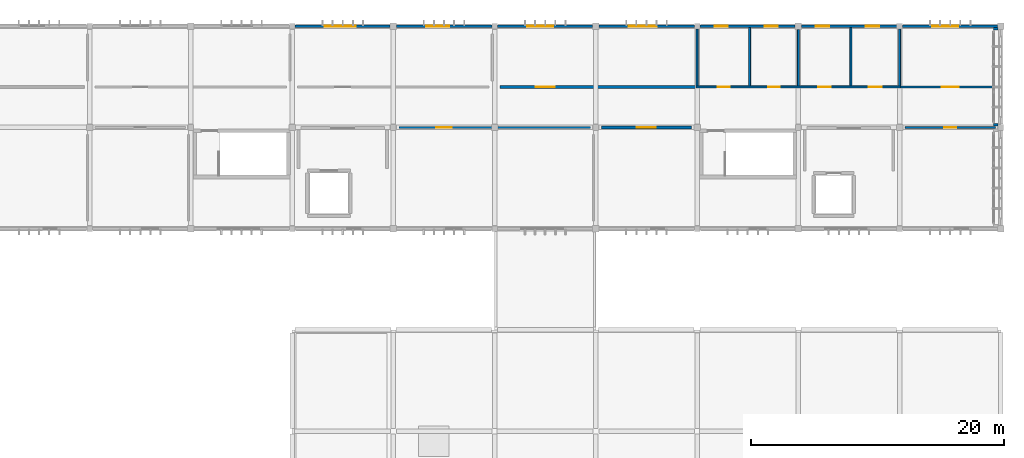
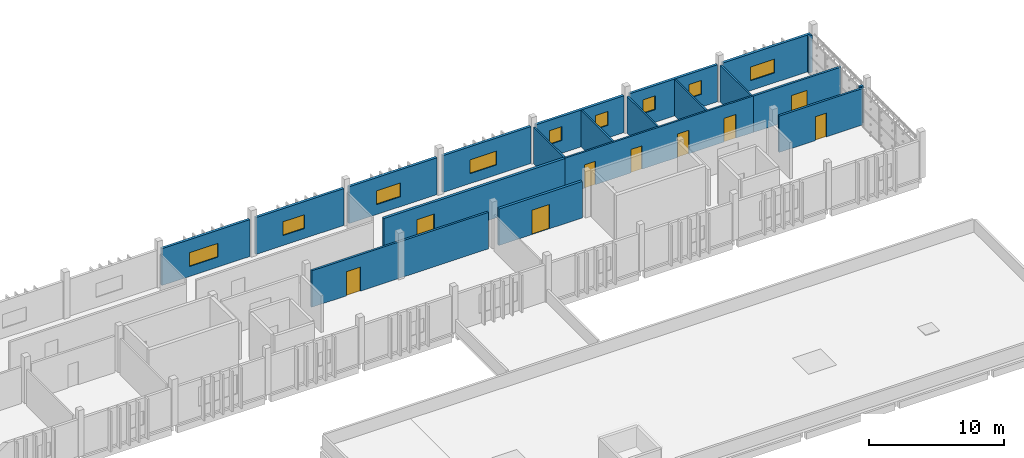
# One storey, part 13 of 16: 20 walls, 9 doors, 9 windows, 18 openings.
"""IFC4 building model written with IfcOpenShell, lengths in metres."""

from ifc_helpers import new_model, si_unit, direction, frame, frame_2d, origin, place, context, subcontext, project, spatial, rectangle, extrude, material, layer, layer_set, type_object, element, fill, save


model = new_model("IFC4")

# Units and contexts
model_context = context("Model", 3, precision=1e-05, world=origin(), true_north=direction((0.0, 1.0)))
body_context = subcontext(model_context, "Body", "Model", "MODEL_VIEW")
ifc_project = project(units=[si_unit("LENGTHUNIT", "METRE"), si_unit("AREAUNIT", "SQUARE_METRE"), si_unit("VOLUMEUNIT", "CUBIC_METRE"), si_unit("PLANEANGLEUNIT", "RADIAN"), si_unit("MASSUNIT", "GRAM", prefix="KILO")], contexts=[model_context])

# Site, building, storey
site_placement = place(None, origin())
site = spatial("IfcSite", under=ifc_project, at=site_placement, CompositionType="ELEMENT")
building_placement = place(site_placement, origin())
building = spatial("IfcBuilding", under=site, at=building_placement, Name="Jelvoka-Kovrelna Polytechnic", CompositionType="ELEMENT")
storey_placement = place(building_placement, frame((0.0, 0.0, 30.60009765625)))
storey = spatial("IfcBuildingStorey", under=building, at=storey_placement, Name="L08", CompositionType="ELEMENT", Elevation=30.60009765625)

# Wall, opening, door
ifc_material_1 = material(Name="Concrete C35/45", Category="concrete")
ifc_layer_1 = layer(ifc_material_1, 0.219970703125)
ifc_layer_set_1 = layer_set([ifc_layer_1], Name="Concrete C35/45")
wall_type_1 = type_object("IfcWallType", Name="Wall_Compartment_220", PredefinedType="PARTITIONING", material=ifc_layer_set_1)
wall_1_placement = place(storey_placement, frame((152.429931640625, 64.0, 0.0), z_axis=(0.0, 0.0, 1.0), x_axis=(1.0, 0.0, 0.0)))
wall_1 = element("IfcWall", 1, at=wall_1_placement, inside=storey, type_object=wall_type_1, Name="L08 interior wall 1315", PredefinedType="PARTITIONING", context=body_context, shape_type="SweptSolid", body=[
    extrude(rectangle(XDim=7.14013671875, YDim=0.219970703125, at=frame_2d((3.570068359375, 0.0))), origin(), (0.0, 0.0, 1.0), 3.2998046875),
])
opening_1_placement = place(wall_1_placement, frame((2.820068359375, 0.0, 0.0)))
opening_1 = element("IfcOpeningElement", 2, at=opening_1_placement, cuts=wall_1, Name="Opening D-L08-470", PredefinedType="OPENING", context=body_context, shape_type="SweptSolid", body=[
    extrude(rectangle(XDim=1.5, YDim=2.199951171875, at=frame_2d((0.75, 1.10009765625))), frame((0.0, 0.119873046875, 0.0), z_axis=(0.0, -1.0, 0.0), x_axis=(1.0, 0.0, 0.0)), (0.0, 0.0, 1.0), 0.239990234375),
])
ifc_material_2 = material(Name="Paired steel stair lobby fire door", Category="steel")
door_type_1 = type_object("IfcDoorType", Name="Door_Fire_FD04", OperationType="NOTDEFINED", PredefinedType="DOOR", material=ifc_material_2)
door_1_placement = place(opening_1_placement, origin())
door_1 = element("IfcDoor", 3, at=door_1_placement, inside=storey, type_object=door_type_1, Name="L08 interior door D-L08-470", OperationType="DOUBLE_DOOR_SINGLE_SWING", OverallHeight=2.199951171875, OverallWidth=1.5, PredefinedType="DOOR", context=body_context, shape_type="SweptSolid", body=[
    extrude(rectangle(XDim=1.5, YDim=2.199951171875, at=frame_2d((0.75, 1.10009765625))), frame((0.0, 0.02490234375, 0.0), z_axis=(0.0, -1.0, 0.0), x_axis=(1.0, 0.0, 0.0)), (0.0, 0.0, 1.0), 0.050048828125),
])
fill(opening_1, door_1)

wall_2_placement = place(storey_placement, frame((144.429931640625, 67.199951171875, 0.0), z_axis=(0.0, 0.0, 1.0), x_axis=(1.0, 0.0, 0.0)))
wall_2 = element("IfcWall", 4, at=wall_2_placement, inside=storey, type_object=wall_type_1, Name="L08 interior wall 1324", PredefinedType="PARTITIONING", context=body_context, shape_type="SweptSolid", body=[
    extrude(rectangle(XDim=15.4951171875, YDim=0.219970703125, at=frame_2d((7.74755859375, 0.0))), origin(), (0.0, 0.0, 1.0), 3.2998046875),
])
opening_2_placement = place(wall_2_placement, frame((2.820068359375, 0.0, 0.0)))
opening_2 = element("IfcOpeningElement", 5, at=opening_2_placement, cuts=wall_2, Name="Opening D-L08-476", PredefinedType="OPENING", context=body_context, shape_type="SweptSolid", body=[
    extrude(rectangle(XDim=1.5, YDim=2.199951171875, at=frame_2d((0.75, 1.10009765625))), frame((0.0, 0.119873046875, 0.0), z_axis=(0.0, -1.0, 0.0), x_axis=(1.0, 0.0, 0.0)), (0.0, 0.0, 1.0), 0.239990234375),
])
door_2_placement = place(opening_2_placement, origin())
door_2 = element("IfcDoor", 6, at=door_2_placement, inside=storey, type_object=door_type_1, Name="L08 interior door D-L08-476", OperationType="DOUBLE_DOOR_SINGLE_SWING", OverallHeight=2.199951171875, OverallWidth=1.5, PredefinedType="DOOR", context=body_context, shape_type="SweptSolid", body=[
    extrude(rectangle(XDim=1.5, YDim=2.199951171875, at=frame_2d((0.75, 1.10009765625))), frame((0.0, 0.02490234375, 0.0), z_axis=(0.0, -1.0, 0.0), x_axis=(1.0, 0.0, 0.0)), (0.0, 0.0, 1.0), 0.050048828125),
])
fill(opening_2, door_2)

ifc_material_3 = material(Name="Autoclaved aerated concrete blockwork", Category="masonry")
ifc_layer_2 = layer(ifc_material_3, 0.179931640625)
ifc_layer_set_2 = layer_set([ifc_layer_2], Name="Autoclaved aerated concrete blockwork")
wall_type_2 = type_object("IfcWallType", Name="Wall_Corridor_180", PredefinedType="PARTITIONING", material=ifc_layer_set_2)
wall_3_placement = place(storey_placement, frame((136.429931640625, 64.0, 0.0), z_axis=(0.0, 0.0, 1.0), x_axis=(1.0, 0.0, 0.0)))
wall_3 = element("IfcWall", 7, at=wall_3_placement, inside=storey, type_object=wall_type_2, Name="L08 interior wall 1313", PredefinedType="PARTITIONING", context=body_context, shape_type="SweptSolid", body=[
    extrude(rectangle(XDim=15.14013671875, YDim=0.179931640625, at=frame_2d((7.570068359375, 0.0))), origin(), (0.0, 0.0, 1.0), 3.2998046875),
])
opening_3_placement = place(wall_3_placement, frame((2.9599609375, 0.0, 0.0)))
opening_3 = element("IfcOpeningElement", 8, at=opening_3_placement, cuts=wall_3, Name="Opening D-L08-469", PredefinedType="OPENING", context=body_context, shape_type="SweptSolid", body=[
    extrude(rectangle(XDim=1.219970703125, YDim=2.179931640625, at=frame_2d((0.60986328125, 1.08984375))), frame((0.0, 0.099853515625, 0.0), z_axis=(0.0, -1.0, 0.0), x_axis=(1.0, 0.0, 0.0)), (0.0, 0.0, 1.0), 0.199951171875),
])
ifc_material_4 = material(Name="Hardwood fire-resisting laboratory door", Category="wood")
door_type_2 = type_object("IfcDoorType", Name="Door_Fire_FD30_04", OperationType="NOTDEFINED", PredefinedType="DOOR", material=ifc_material_4)
door_3_placement = place(opening_3_placement, origin())
door_3 = element("IfcDoor", 9, at=door_3_placement, inside=storey, type_object=door_type_2, Name="L08 interior door D-L08-469", OperationType="SINGLE_SWING_RIGHT", OverallHeight=2.179931640625, OverallWidth=1.219970703125, PredefinedType="DOOR", context=body_context, shape_type="SweptSolid", body=[
    extrude(rectangle(XDim=1.219970703125, YDim=2.179931640625, at=frame_2d((0.60986328125, 1.08984375))), frame((0.0, 0.02490234375, 0.0), z_axis=(0.0, -1.0, 0.0), x_axis=(1.0, 0.0, 0.0)), (0.0, 0.0, 1.0), 0.050048828125),
])
fill(opening_3, door_3)

wall_4_placement = place(storey_placement, frame((176.429931640625, 64.0, 0.0), z_axis=(0.0, 0.0, 1.0), x_axis=(1.0, 0.0, 0.0)))
wall_4 = element("IfcWall", 10, at=wall_4_placement, inside=storey, type_object=wall_type_2, Name="L08 interior wall 1316", PredefinedType="PARTITIONING", context=body_context, shape_type="SweptSolid", body=[
    extrude(rectangle(XDim=7.14013671875, YDim=0.179931640625, at=frame_2d((3.570068359375, 0.0))), origin(), (0.0, 0.0, 1.0), 3.2998046875),
])
opening_4_placement = place(wall_4_placement, frame((3.110107421875, 0.0, 0.0)))
opening_4 = element("IfcOpeningElement", 11, at=opening_4_placement, cuts=wall_4, Name="Opening D-L08-471", PredefinedType="OPENING", context=body_context, shape_type="SweptSolid", body=[
    extrude(rectangle(XDim=0.919921875, YDim=2.14990234375, at=frame_2d((0.4599609375, 1.074951171875))), frame((0.0, 0.099853515625, 0.0), z_axis=(0.0, -1.0, 0.0), x_axis=(1.0, 0.0, 0.0)), (0.0, 0.0, 1.0), 0.199951171875),
])
ifc_material_5 = material(Name="Hardwood solid-core door", Category="wood")
door_type_3 = type_object("IfcDoorType", Name="Door_Int_D06", OperationType="NOTDEFINED", PredefinedType="DOOR", material=ifc_material_5)
door_4_placement = place(opening_4_placement, origin())
door_4 = element("IfcDoor", 12, at=door_4_placement, inside=storey, type_object=door_type_3, Name="L08 interior door D-L08-471", OperationType="SINGLE_SWING_LEFT", OverallHeight=2.14990234375, OverallWidth=0.919921875, PredefinedType="DOOR", context=body_context, shape_type="SweptSolid", body=[
    extrude(rectangle(XDim=0.919921875, YDim=2.14990234375, at=frame_2d((0.4599609375, 1.074951171875))), frame((0.0, 0.02490234375, 0.0), z_axis=(0.0, -1.0, 0.0), x_axis=(1.0, 0.0, 0.0)), (0.0, 0.0, 1.0), 0.050048828125),
])
fill(opening_4, door_4)

wall_5_placement = place(storey_placement, frame((176.074951171875, 67.199951171875, 0.0), z_axis=(0.0, 0.0, 1.0), x_axis=(1.0, 0.0, 0.0)))
wall_5 = element("IfcWall", 13, at=wall_5_placement, inside=storey, type_object=wall_type_2, Name="L08 interior wall 1325", PredefinedType="PARTITIONING", context=body_context, shape_type="SweptSolid", body=[
    extrude(rectangle(XDim=7.4951171875, YDim=0.179931640625, at=frame_2d((3.74755859375, 0.0))), origin(), (0.0, 0.0, 1.0), 3.2998046875),
])
opening_5_placement = place(wall_5_placement, frame((3.25, 0.0, 0.0)))
opening_5 = element("IfcOpeningElement", 14, at=opening_5_placement, cuts=wall_5, Name="Opening D-L08-477", PredefinedType="OPENING", context=body_context, shape_type="SweptSolid", body=[
    extrude(rectangle(XDim=1.35009765625, YDim=2.199951171875, at=frame_2d((0.675048828125, 1.10009765625))), frame((0.0, 0.099853515625, 0.0), z_axis=(0.0, -1.0, 0.0), x_axis=(1.0, 0.0, 0.0)), (0.0, 0.0, 1.0), 0.199951171875),
])
ifc_material_6 = material(Name="Studio wide leaf door", Category="wood")
door_type_4 = type_object("IfcDoorType", Name="Door_Int_D15", OperationType="NOTDEFINED", PredefinedType="DOOR", material=ifc_material_6)
door_5_placement = place(opening_5_placement, origin())
door_5 = element("IfcDoor", 15, at=door_5_placement, inside=storey, type_object=door_type_4, Name="L08 interior door D-L08-477", OperationType="SINGLE_SWING_LEFT", OverallHeight=2.199951171875, OverallWidth=1.35009765625, PredefinedType="DOOR", context=body_context, shape_type="SweptSolid", body=[
    extrude(rectangle(XDim=1.35009765625, YDim=2.199951171875, at=frame_2d((0.675048828125, 1.10009765625))), frame((0.0, 0.02490234375, 0.0), z_axis=(0.0, -1.0, 0.0), x_axis=(1.0, 0.0, 0.0)), (0.0, 0.0, 1.0), 0.050048828125),
])
fill(opening_5, door_5)

# Wall, opening, window
ifc_material_7 = material(Name="Precast concrete C40/50", Category="concrete")
ifc_layer_3 = layer(ifc_material_7, 0.219970703125)
ifc_layer_set_3 = layer_set([ifc_layer_3], Name="Precast concrete C40/50")
wall_type_3 = type_object("IfcWallType", Name="Wall_Ext_White_220", PredefinedType="STANDARD", material=ifc_layer_set_3)
wall_6_placement = place(storey_placement, frame((128.221923828125, 72.0, 0.0), z_axis=(0.0, 0.0, 1.0), x_axis=(1.0, 0.0, 0.0)))
wall_6 = element("IfcWall", 16, at=wall_6_placement, inside=storey, type_object=wall_type_3, Name="L08 exterior wall 0833", PredefinedType="STANDARD", context=body_context, shape_type="SweptSolid", body=[
    extrude(rectangle(XDim=7.531005859375, YDim=0.219970703125, at=frame_2d((3.765625, 0.0))), origin(), (0.0, 0.0, 1.0), 3.3349609375),
])
opening_6_placement = place(wall_6_placement, frame((2.35791015625, 0.0, 0.89990234375)))
opening_6 = element("IfcOpeningElement", 17, at=opening_6_placement, cuts=wall_6, Name="Opening W-L08-479", PredefinedType="OPENING", context=body_context, shape_type="SweptSolid", body=[
    extrude(rectangle(XDim=2.449951171875, YDim=1.25, at=frame_2d((1.22509765625, 0.625))), frame((0.0, 0.119873046875, 0.0), z_axis=(0.0, -1.0, 0.0), x_axis=(1.0, 0.0, 0.0)), (0.0, 0.0, 1.0), 0.239990234375),
])
ifc_material_8 = material(Name="Thermally broken anodised aluminium and low-e glazing", Category="aluminium")
window_type_1 = type_object("IfcWindowType", Name="Win_Casement_W08", PartitioningType="DOUBLE_PANEL_VERTICAL", PredefinedType="WINDOW", material=ifc_material_8)
window_1_placement = place(opening_6_placement, origin())
window_1 = element("IfcWindow", 18, at=window_1_placement, inside=storey, type_object=window_type_1, Name="L08 aluminium casement window W-L08-479", OverallHeight=1.25, OverallWidth=2.449951171875, PartitioningType="DOUBLE_PANEL_VERTICAL", PredefinedType="WINDOW", context=body_context, shape_type="SweptSolid", body=[
    extrude(rectangle(XDim=2.449951171875, YDim=1.25, at=frame_2d((1.22509765625, 0.625))), frame((0.0, 0.030029296875, 0.0), z_axis=(0.0, -1.0, 0.0), x_axis=(1.0, 0.0, 0.0)), (0.0, 0.0, 1.0), 0.06005859375),
])
fill(opening_6, window_1)

wall_7_placement = place(storey_placement, frame((136.2470703125, 72.0, 0.0), z_axis=(0.0, 0.0, 1.0), x_axis=(1.0, 0.0, 0.0)))
wall_7 = element("IfcWall", 19, at=wall_7_placement, inside=storey, type_object=wall_type_3, Name="L08 exterior wall 0835", PredefinedType="STANDARD", context=body_context, shape_type="SweptSolid", body=[
    extrude(rectangle(XDim=7.531005859375, YDim=0.219970703125, at=frame_2d((3.765625, 0.0))), origin(), (0.0, 0.0, 1.0), 3.3349609375),
])
opening_7_placement = place(wall_7_placement, frame((2.3330078125, 0.0, 0.89990234375)))
opening_7 = element("IfcOpeningElement", 20, at=opening_7_placement, cuts=wall_7, Name="Opening W-L08-481", PredefinedType="OPENING", context=body_context, shape_type="SweptSolid", body=[
    extrude(rectangle(XDim=1.85009765625, YDim=1.25, at=frame_2d((0.925048828125, 0.625))), frame((0.0, 0.119873046875, 0.0), z_axis=(0.0, -1.0, 0.0), x_axis=(1.0, 0.0, 0.0)), (0.0, 0.0, 1.0), 0.239990234375),
])
ifc_material_9 = material(Name="Thermally broken anodised aluminium and low-e glazing", Category="aluminium")
window_type_2 = type_object("IfcWindowType", Name="Win_Casement_W05", PartitioningType="DOUBLE_PANEL_VERTICAL", PredefinedType="WINDOW", material=ifc_material_9)
window_2_placement = place(opening_7_placement, origin())
window_2 = element("IfcWindow", 21, at=window_2_placement, inside=storey, type_object=window_type_2, Name="L08 aluminium casement window W-L08-481", OverallHeight=1.25, OverallWidth=1.85009765625, PartitioningType="DOUBLE_PANEL_VERTICAL", PredefinedType="WINDOW", context=body_context, shape_type="SweptSolid", body=[
    extrude(rectangle(XDim=1.85009765625, YDim=1.25, at=frame_2d((0.925048828125, 0.625))), frame((0.0, 0.030029296875, 0.0), z_axis=(0.0, -1.0, 0.0), x_axis=(1.0, 0.0, 0.0)), (0.0, 0.0, 1.0), 0.06005859375),
])
fill(opening_7, window_2)

wall_8_placement = place(storey_placement, frame((144.221923828125, 72.0, 0.0), z_axis=(0.0, 0.0, 1.0), x_axis=(1.0, 0.0, 0.0)))
wall_8 = element("IfcWall", 22, at=wall_8_placement, inside=storey, type_object=wall_type_3, Name="L08 exterior wall 0837", PredefinedType="STANDARD", context=body_context, shape_type="SweptSolid", body=[
    extrude(rectangle(XDim=7.531005859375, YDim=0.219970703125, at=frame_2d((3.765625, 0.0))), origin(), (0.0, 0.0, 1.0), 3.3349609375),
])
opening_8_placement = place(wall_8_placement, frame((2.35791015625, 0.0, 0.89990234375)))
opening_8 = element("IfcOpeningElement", 23, at=opening_8_placement, cuts=wall_8, Name="Opening W-L08-483", PredefinedType="OPENING", context=body_context, shape_type="SweptSolid", body=[
    extrude(rectangle(XDim=2.050048828125, YDim=1.25, at=frame_2d((1.02490234375, 0.625))), frame((0.0, 0.119873046875, 0.0), z_axis=(0.0, -1.0, 0.0), x_axis=(1.0, 0.0, 0.0)), (0.0, 0.0, 1.0), 0.239990234375),
])
ifc_material_10 = material(Name="Thermally broken anodised aluminium and low-e glazing", Category="aluminium")
window_type_3 = type_object("IfcWindowType", Name="Win_Casement_W06", PartitioningType="DOUBLE_PANEL_VERTICAL", PredefinedType="WINDOW", material=ifc_material_10)
window_3_placement = place(opening_8_placement, origin())
window_3 = element("IfcWindow", 24, at=window_3_placement, inside=storey, type_object=window_type_3, Name="L08 aluminium casement window W-L08-483", OverallHeight=1.25, OverallWidth=2.050048828125, PartitioningType="DOUBLE_PANEL_VERTICAL", PredefinedType="WINDOW", context=body_context, shape_type="SweptSolid", body=[
    extrude(rectangle(XDim=2.050048828125, YDim=1.25, at=frame_2d((1.02490234375, 0.625))), frame((0.0, 0.030029296875, 0.0), z_axis=(0.0, -1.0, 0.0), x_axis=(1.0, 0.0, 0.0)), (0.0, 0.0, 1.0), 0.06005859375),
])
fill(opening_8, window_3)

wall_9_placement = place(storey_placement, frame((152.2470703125, 72.0, 0.0), z_axis=(0.0, 0.0, 1.0), x_axis=(1.0, 0.0, 0.0)))
wall_9 = element("IfcWall", 25, at=wall_9_placement, inside=storey, type_object=wall_type_3, Name="L08 exterior wall 0839", PredefinedType="STANDARD", context=body_context, shape_type="SweptSolid", body=[
    extrude(rectangle(XDim=7.531005859375, YDim=0.219970703125, at=frame_2d((3.765625, 0.0))), origin(), (0.0, 0.0, 1.0), 3.3349609375),
])
opening_9_placement = place(wall_9_placement, frame((2.3330078125, 0.0, 0.89990234375)))
opening_9 = element("IfcOpeningElement", 26, at=opening_9_placement, cuts=wall_9, Name="Opening W-L08-485", PredefinedType="OPENING", context=body_context, shape_type="SweptSolid", body=[
    extrude(rectangle(XDim=2.25, YDim=1.25, at=frame_2d((1.125, 0.625))), frame((0.0, 0.119873046875, 0.0), z_axis=(0.0, -1.0, 0.0), x_axis=(1.0, 0.0, 0.0)), (0.0, 0.0, 1.0), 0.239990234375),
])
ifc_material_11 = material(Name="Thermally broken anodised aluminium and low-e glazing", Category="aluminium")
window_type_4 = type_object("IfcWindowType", Name="Win_Casement_W07", PartitioningType="DOUBLE_PANEL_VERTICAL", PredefinedType="WINDOW", material=ifc_material_11)
window_4_placement = place(opening_9_placement, origin())
window_4 = element("IfcWindow", 27, at=window_4_placement, inside=storey, type_object=window_type_4, Name="L08 aluminium casement window W-L08-485", OverallHeight=1.25, OverallWidth=2.25, PartitioningType="DOUBLE_PANEL_VERTICAL", PredefinedType="WINDOW", context=body_context, shape_type="SweptSolid", body=[
    extrude(rectangle(XDim=2.25, YDim=1.25, at=frame_2d((1.125, 0.625))), frame((0.0, 0.030029296875, 0.0), z_axis=(0.0, -1.0, 0.0), x_axis=(1.0, 0.0, 0.0)), (0.0, 0.0, 1.0), 0.06005859375),
])
fill(opening_9, window_4)

# Wall, openings, windows
wall_10_placement = place(storey_placement, frame((160.221923828125, 72.0, 0.0), z_axis=(0.0, 0.0, 1.0), x_axis=(1.0, 0.0, 0.0)))
wall_10 = element("IfcWall", 28, at=wall_10_placement, inside=storey, type_object=wall_type_3, Name="L08 exterior wall 0841", PredefinedType="STANDARD", context=body_context, shape_type="SweptSolid", body=[
    extrude(rectangle(XDim=7.531005859375, YDim=0.219970703125, at=frame_2d((3.765625, 0.0))), origin(), (0.0, 0.0, 1.0), 3.3349609375),
])
opening_10_placement = place(wall_10_placement, frame((1.157958984375, 0.0, 1.14990234375)))
opening_10 = element("IfcOpeningElement", 29, at=opening_10_placement, cuts=wall_10, Name="Opening W-L08-487", PredefinedType="OPENING", context=body_context, shape_type="SweptSolid", body=[
    extrude(rectangle(XDim=1.050048828125, YDim=1.25, at=frame_2d((0.52490234375, 0.625))), frame((0.0, 0.119873046875, 0.0), z_axis=(0.0, -1.0, 0.0), x_axis=(1.0, 0.0, 0.0)), (0.0, 0.0, 1.0), 0.239990234375),
])
opening_11_placement = place(wall_10_placement, frame((5.10791015625, 0.0, 1.14990234375)))
opening_11 = element("IfcOpeningElement", 30, at=opening_11_placement, cuts=wall_10, Name="Opening W-L08-488", PredefinedType="OPENING", context=body_context, shape_type="SweptSolid", body=[
    extrude(rectangle(XDim=1.050048828125, YDim=1.25, at=frame_2d((0.52490234375, 0.625))), frame((0.0, 0.119873046875, 0.0), z_axis=(0.0, -1.0, 0.0), x_axis=(1.0, 0.0, 0.0)), (0.0, 0.0, 1.0), 0.239990234375),
])
ifc_material_12 = material(Name="Thermally broken anodised aluminium and low-e glazing", Category="aluminium")
window_type_5 = type_object("IfcWindowType", Name="Win_Casement_W01", PartitioningType="SINGLE_PANEL", PredefinedType="WINDOW", material=ifc_material_12)
window_5_placement = place(opening_10_placement, origin())
window_5 = element("IfcWindow", 31, at=window_5_placement, inside=storey, type_object=window_type_5, Name="L08 aluminium casement window W-L08-487", OverallHeight=1.25, OverallWidth=1.050048828125, PartitioningType="SINGLE_PANEL", PredefinedType="WINDOW", context=body_context, shape_type="SweptSolid", body=[
    extrude(rectangle(XDim=1.050048828125, YDim=1.25, at=frame_2d((0.52490234375, 0.625))), frame((0.0, 0.030029296875, 0.0), z_axis=(0.0, -1.0, 0.0), x_axis=(1.0, 0.0, 0.0)), (0.0, 0.0, 1.0), 0.06005859375),
])
fill(opening_10, window_5)
window_6_placement = place(opening_11_placement, origin())
window_6 = element("IfcWindow", 32, at=window_6_placement, inside=storey, type_object=window_type_5, Name="L08 aluminium casement window W-L08-488", OverallHeight=1.25, OverallWidth=1.050048828125, PartitioningType="SINGLE_PANEL", PredefinedType="WINDOW", context=body_context, shape_type="SweptSolid", body=[
    extrude(rectangle(XDim=1.050048828125, YDim=1.25, at=frame_2d((0.52490234375, 0.625))), frame((0.0, 0.030029296875, 0.0), z_axis=(0.0, -1.0, 0.0), x_axis=(1.0, 0.0, 0.0)), (0.0, 0.0, 1.0), 0.06005859375),
])
fill(opening_11, window_6)

wall_11_placement = place(storey_placement, frame((168.2470703125, 72.0, 0.0), z_axis=(0.0, 0.0, 1.0), x_axis=(1.0, 0.0, 0.0)))
wall_11 = element("IfcWall", 33, at=wall_11_placement, inside=storey, type_object=wall_type_3, Name="L08 exterior wall 0843", PredefinedType="STANDARD", context=body_context, shape_type="SweptSolid", body=[
    extrude(rectangle(XDim=7.531005859375, YDim=0.219970703125, at=frame_2d((3.765625, 0.0))), origin(), (0.0, 0.0, 1.0), 3.3349609375),
])
opening_12_placement = place(wall_11_placement, frame((1.133056640625, 0.0, 1.14990234375)))
opening_12 = element("IfcOpeningElement", 34, at=opening_12_placement, cuts=wall_11, Name="Opening W-L08-490", PredefinedType="OPENING", context=body_context, shape_type="SweptSolid", body=[
    extrude(rectangle(XDim=1.050048828125, YDim=1.25, at=frame_2d((0.52490234375, 0.625))), frame((0.0, 0.119873046875, 0.0), z_axis=(0.0, -1.0, 0.0), x_axis=(1.0, 0.0, 0.0)), (0.0, 0.0, 1.0), 0.239990234375),
])
opening_13_placement = place(wall_11_placement, frame((5.0830078125, 0.0, 1.14990234375)))
opening_13 = element("IfcOpeningElement", 35, at=opening_13_placement, cuts=wall_11, Name="Opening W-L08-491", PredefinedType="OPENING", context=body_context, shape_type="SweptSolid", body=[
    extrude(rectangle(XDim=1.050048828125, YDim=1.25, at=frame_2d((0.52490234375, 0.625))), frame((0.0, 0.119873046875, 0.0), z_axis=(0.0, -1.0, 0.0), x_axis=(1.0, 0.0, 0.0)), (0.0, 0.0, 1.0), 0.239990234375),
])
window_7_placement = place(opening_12_placement, origin())
window_7 = element("IfcWindow", 36, at=window_7_placement, inside=storey, type_object=window_type_5, Name="L08 aluminium casement window W-L08-490", OverallHeight=1.25, OverallWidth=1.050048828125, PartitioningType="SINGLE_PANEL", PredefinedType="WINDOW", context=body_context, shape_type="SweptSolid", body=[
    extrude(rectangle(XDim=1.050048828125, YDim=1.25, at=frame_2d((0.52490234375, 0.625))), frame((0.0, 0.030029296875, 0.0), z_axis=(0.0, -1.0, 0.0), x_axis=(1.0, 0.0, 0.0)), (0.0, 0.0, 1.0), 0.06005859375),
])
fill(opening_12, window_7)
window_8_placement = place(opening_13_placement, origin())
window_8 = element("IfcWindow", 37, at=window_8_placement, inside=storey, type_object=window_type_5, Name="L08 aluminium casement window W-L08-491", OverallHeight=1.25, OverallWidth=1.050048828125, PartitioningType="SINGLE_PANEL", PredefinedType="WINDOW", context=body_context, shape_type="SweptSolid", body=[
    extrude(rectangle(XDim=1.050048828125, YDim=1.25, at=frame_2d((0.52490234375, 0.625))), frame((0.0, 0.030029296875, 0.0), z_axis=(0.0, -1.0, 0.0), x_axis=(1.0, 0.0, 0.0)), (0.0, 0.0, 1.0), 0.06005859375),
])
fill(opening_13, window_8)

# Wall, opening, window
wall_12_placement = place(storey_placement, frame((176.221923828125, 72.0, 0.0), z_axis=(0.0, 0.0, 1.0), x_axis=(1.0, 0.0, 0.0)))
wall_12 = element("IfcWall", 38, at=wall_12_placement, inside=storey, type_object=wall_type_3, Name="L08 exterior wall 0845", PredefinedType="STANDARD", context=body_context, shape_type="SweptSolid", body=[
    extrude(rectangle(XDim=7.531005859375, YDim=0.219970703125, at=frame_2d((3.765625, 0.0))), origin(), (0.0, 0.0, 1.0), 3.3349609375),
])
opening_14_placement = place(wall_12_placement, frame((2.35791015625, 0.0, 0.89990234375)))
opening_14 = element("IfcOpeningElement", 39, at=opening_14_placement, cuts=wall_12, Name="Opening W-L08-493", PredefinedType="OPENING", context=body_context, shape_type="SweptSolid", body=[
    extrude(rectangle(XDim=2.050048828125, YDim=1.25, at=frame_2d((1.02490234375, 0.625))), frame((0.0, 0.119873046875, 0.0), z_axis=(0.0, -1.0, 0.0), x_axis=(1.0, 0.0, 0.0)), (0.0, 0.0, 1.0), 0.239990234375),
])
window_9_placement = place(opening_14_placement, origin())
window_9 = element("IfcWindow", 40, at=window_9_placement, inside=storey, type_object=window_type_3, Name="L08 aluminium casement window W-L08-493", OverallHeight=1.25, OverallWidth=2.050048828125, PartitioningType="DOUBLE_PANEL_VERTICAL", PredefinedType="WINDOW", context=body_context, shape_type="SweptSolid", body=[
    extrude(rectangle(XDim=2.050048828125, YDim=1.25, at=frame_2d((1.02490234375, 0.625))), frame((0.0, 0.030029296875, 0.0), z_axis=(0.0, -1.0, 0.0), x_axis=(1.0, 0.0, 0.0)), (0.0, 0.0, 1.0), 0.06005859375),
])
fill(opening_14, window_9)

# Walls
ifc_material_13 = material(Name="Precast concrete C40/50", Category="concrete")
ifc_layer_4 = layer(ifc_material_13, 0.199951171875)
ifc_layer_set_4 = layer_set([ifc_layer_4], Name="Precast concrete C40/50")
wall_type_4 = type_object("IfcWallType", Name="Wall_Parapet_200", PredefinedType="PARAPET", material=ifc_layer_set_4)
for number, where, z_axis, x_axis, name in (
    (41, (183.760009765625, 64.219970703125, 0.0), (0.0, 0.0, 1.0), (-1.0, 0.0, 0.0), "L08 exterior wall 0851"),
    (42, (183.760009765625, 71.780029296875, 0.0), (0.0, 0.0, 1.0), (-1.0, 0.0, 0.0), "L08 exterior wall 0852"),
):
    element("IfcWall", number, at=place(storey_placement, frame(where, z_axis=z_axis, x_axis=x_axis)), inside=storey, type_object=wall_type_4, Name=name, PredefinedType="PARAPET", context=body_context, shape_type="SweptSolid", body=[
        extrude(rectangle(XDim=0.320068359375, YDim=0.199951171875, at=frame_2d((0.16015625, 0.0))), origin(), (0.0, 0.0, 1.0), 3.349853515625),
    ])

# Wall, openings, doors
ifc_material_14 = material(Name="Autoclaved aerated concrete blockwork", Category="masonry")
ifc_layer_5 = layer(ifc_material_14, 0.14990234375)
ifc_layer_set_5 = layer_set([ifc_layer_5], Name="Autoclaved aerated concrete blockwork")
wall_type_5 = type_object("IfcWallType", Name="Wall_Partition_150", PredefinedType="PARTITIONING", material=ifc_layer_set_5)
wall_13_placement = place(storey_placement, frame((159.925048828125, 67.199951171875, 0.0), z_axis=(0.0, 0.0, 1.0), x_axis=(1.0, 0.0, 0.0)))
wall_13 = element("IfcWall", 43, at=wall_13_placement, inside=storey, type_object=wall_type_5, Name="L08 interior wall 1302", PredefinedType="PARTITIONING", context=body_context, shape_type="SweptSolid", body=[
    extrude(rectangle(XDim=16.14990234375, YDim=0.14990234375, at=frame_2d((8.074951171875, 0.0))), origin(), (0.0, 0.0, 1.0), 3.2998046875),
])
opening_15_placement = place(wall_13_placement, frame((1.715087890625, 0.0, 0.0)))
opening_15 = element("IfcOpeningElement", 44, at=opening_15_placement, cuts=wall_13, Name="Opening D-L08-462", PredefinedType="OPENING", context=body_context, shape_type="SweptSolid", body=[
    extrude(rectangle(XDim=0.919921875, YDim=2.1201171875, at=frame_2d((0.4599609375, 1.06005859375))), frame((0.0, 0.0849609375, 0.0), z_axis=(0.0, -1.0, 0.0), x_axis=(1.0, 0.0, 0.0)), (0.0, 0.0, 1.0), 0.169921875),
])
opening_16_placement = place(wall_13_placement, frame((5.695068359375, 0.0, 0.0)))
opening_16 = element("IfcOpeningElement", 45, at=opening_16_placement, cuts=wall_13, Name="Opening D-L08-463", PredefinedType="OPENING", context=body_context, shape_type="SweptSolid", body=[
    extrude(rectangle(XDim=0.919921875, YDim=2.1201171875, at=frame_2d((0.4599609375, 1.06005859375))), frame((0.0, 0.0849609375, 0.0), z_axis=(0.0, -1.0, 0.0), x_axis=(1.0, 0.0, 0.0)), (0.0, 0.0, 1.0), 0.169921875),
])
opening_17_placement = place(wall_13_placement, frame((9.6650390625, 0.0, 0.0)))
opening_17 = element("IfcOpeningElement", 46, at=opening_17_placement, cuts=wall_13, Name="Opening D-L08-464", PredefinedType="OPENING", context=body_context, shape_type="SweptSolid", body=[
    extrude(rectangle(XDim=0.97998046875, YDim=2.1201171875, at=frame_2d((0.489990234375, 1.06005859375))), frame((0.0, 0.0849609375, 0.0), z_axis=(0.0, -1.0, 0.0), x_axis=(1.0, 0.0, 0.0)), (0.0, 0.0, 1.0), 0.169921875),
])
opening_18_placement = place(wall_13_placement, frame((13.655029296875, 0.0, 0.0)))
opening_18 = element("IfcOpeningElement", 47, at=opening_18_placement, cuts=wall_13, Name="Opening D-L08-465", PredefinedType="OPENING", context=body_context, shape_type="SweptSolid", body=[
    extrude(rectangle(XDim=1.0, YDim=2.14990234375, at=frame_2d((0.5, 1.074951171875))), frame((0.0, 0.0849609375, 0.0), z_axis=(0.0, -1.0, 0.0), x_axis=(1.0, 0.0, 0.0)), (0.0, 0.0, 1.0), 0.169921875),
])
ifc_material_15 = material(Name="Hardwood acoustic seminar door", Category="wood")
door_type_5 = type_object("IfcDoorType", Name="Door_Int_D08", OperationType="NOTDEFINED", PredefinedType="DOOR", material=ifc_material_15)
door_6_placement = place(opening_18_placement, origin())
door_6 = element("IfcDoor", 48, at=door_6_placement, inside=storey, type_object=door_type_5, Name="L08 interior door D-L08-465", OperationType="SINGLE_SWING_RIGHT", OverallHeight=2.14990234375, OverallWidth=1.0, PredefinedType="DOOR", context=body_context, shape_type="SweptSolid", body=[
    extrude(rectangle(XDim=1.0, YDim=2.14990234375, at=frame_2d((0.5, 1.074951171875))), frame((0.0, 0.02490234375, 0.0), z_axis=(0.0, -1.0, 0.0), x_axis=(1.0, 0.0, 0.0)), (0.0, 0.0, 1.0), 0.050048828125),
])
fill(opening_18, door_6)
ifc_material_16 = material(Name="Moisture-resistant laminate washroom door", Category="wood")
door_type_6 = type_object("IfcDoorType", Name="Door_Int_D24", OperationType="NOTDEFINED", PredefinedType="DOOR", material=ifc_material_16)
door_7_placement = place(opening_15_placement, origin())
door_7 = element("IfcDoor", 49, at=door_7_placement, inside=storey, type_object=door_type_6, Name="L08 interior door D-L08-462", OperationType="SINGLE_SWING_LEFT", OverallHeight=2.1201171875, OverallWidth=0.919921875, PredefinedType="DOOR", context=body_context, shape_type="SweptSolid", body=[
    extrude(rectangle(XDim=0.919921875, YDim=2.1201171875, at=frame_2d((0.4599609375, 1.06005859375))), frame((0.0, 0.02490234375, 0.0), z_axis=(0.0, -1.0, 0.0), x_axis=(1.0, 0.0, 0.0)), (0.0, 0.0, 1.0), 0.050048828125),
])
fill(opening_15, door_7)
door_8_placement = place(opening_16_placement, origin())
door_8 = element("IfcDoor", 50, at=door_8_placement, inside=storey, type_object=door_type_6, Name="L08 interior door D-L08-463", OperationType="SINGLE_SWING_RIGHT", OverallHeight=2.1201171875, OverallWidth=0.919921875, PredefinedType="DOOR", context=body_context, shape_type="SweptSolid", body=[
    extrude(rectangle(XDim=0.919921875, YDim=2.1201171875, at=frame_2d((0.4599609375, 1.06005859375))), frame((0.0, 0.02490234375, 0.0), z_axis=(0.0, -1.0, 0.0), x_axis=(1.0, 0.0, 0.0)), (0.0, 0.0, 1.0), 0.050048828125),
])
fill(opening_16, door_8)
ifc_material_17 = material(Name="Accessible unisex washroom door", Category="wood")
door_type_7 = type_object("IfcDoorType", Name="Door_Int_D25", OperationType="NOTDEFINED", PredefinedType="DOOR", material=ifc_material_17)
door_9_placement = place(opening_17_placement, origin())
door_9 = element("IfcDoor", 51, at=door_9_placement, inside=storey, type_object=door_type_7, Name="L08 interior door D-L08-464", OperationType="SINGLE_SWING_LEFT", OverallHeight=2.1201171875, OverallWidth=0.97998046875, PredefinedType="DOOR", context=body_context, shape_type="SweptSolid", body=[
    extrude(rectangle(XDim=0.97998046875, YDim=2.1201171875, at=frame_2d((0.489990234375, 1.06005859375))), frame((0.0, 0.02490234375, 0.0), z_axis=(0.0, -1.0, 0.0), x_axis=(1.0, 0.0, 0.0)), (0.0, 0.0, 1.0), 0.050048828125),
])
fill(opening_17, door_9)

# Walls
wall_14_placement = place(storey_placement, frame((160.0, 67.27490234375, 0.0), z_axis=(0.0, 0.0, 1.0), x_axis=(0.0, 1.0, 0.0)))
element("IfcWall", 52, at=wall_14_placement, inside=storey, type_object=wall_type_5, Name="L08 interior wall 1303", PredefinedType="PARTITIONING", context=body_context, shape_type="SweptSolid", body=[
    extrude(rectangle(XDim=4.5, YDim=0.14990234375, at=frame_2d((2.25, 0.0))), origin(), (0.0, 0.0, 1.0), 3.2998046875),
])
wall_15_placement = place(storey_placement, frame((164.14990234375, 67.27490234375, 0.0), z_axis=(0.0, 0.0, 1.0), x_axis=(0.0, 1.0, 0.0)))
element("IfcWall", 53, at=wall_15_placement, inside=storey, type_object=wall_type_5, Name="L08 interior wall 1304", PredefinedType="PARTITIONING", context=body_context, shape_type="SweptSolid", body=[
    extrude(rectangle(XDim=4.614990234375, YDim=0.14990234375, at=frame_2d((2.3076171875, 0.0))), origin(), (0.0, 0.0, 1.0), 3.2998046875),
])
wall_16_placement = place(storey_placement, frame((168.0, 67.27490234375, 0.0), z_axis=(0.0, 0.0, 1.0), x_axis=(0.0, 1.0, 0.0)))
element("IfcWall", 54, at=wall_16_placement, inside=storey, type_object=wall_type_5, Name="L08 interior wall 1305", PredefinedType="PARTITIONING", context=body_context, shape_type="SweptSolid", body=[
    extrude(rectangle(XDim=4.47509765625, YDim=0.14990234375, at=frame_2d((2.237548828125, 0.0))), origin(), (0.0, 0.0, 1.0), 3.2998046875),
])
wall_17_placement = place(storey_placement, frame((172.14990234375, 67.27490234375, 0.0), z_axis=(0.0, 0.0, 1.0), x_axis=(0.0, 1.0, 0.0)))
element("IfcWall", 55, at=wall_17_placement, inside=storey, type_object=wall_type_5, Name="L08 interior wall 1306", PredefinedType="PARTITIONING", context=body_context, shape_type="SweptSolid", body=[
    extrude(rectangle(XDim=4.614990234375, YDim=0.14990234375, at=frame_2d((2.3076171875, 0.0))), origin(), (0.0, 0.0, 1.0), 3.2998046875),
])
wall_18_placement = place(storey_placement, frame((176.0, 67.27490234375, 0.0), z_axis=(0.0, 0.0, 1.0), x_axis=(0.0, 1.0, 0.0)))
element("IfcWall", 56, at=wall_18_placement, inside=storey, type_object=wall_type_5, Name="L08 interior wall 1307", PredefinedType="PARTITIONING", context=body_context, shape_type="SweptSolid", body=[
    extrude(rectangle(XDim=4.5, YDim=0.14990234375, at=frame_2d((2.25, 0.0))), origin(), (0.0, 0.0, 1.0), 3.2998046875),
])

save(model, "model.ifc")
